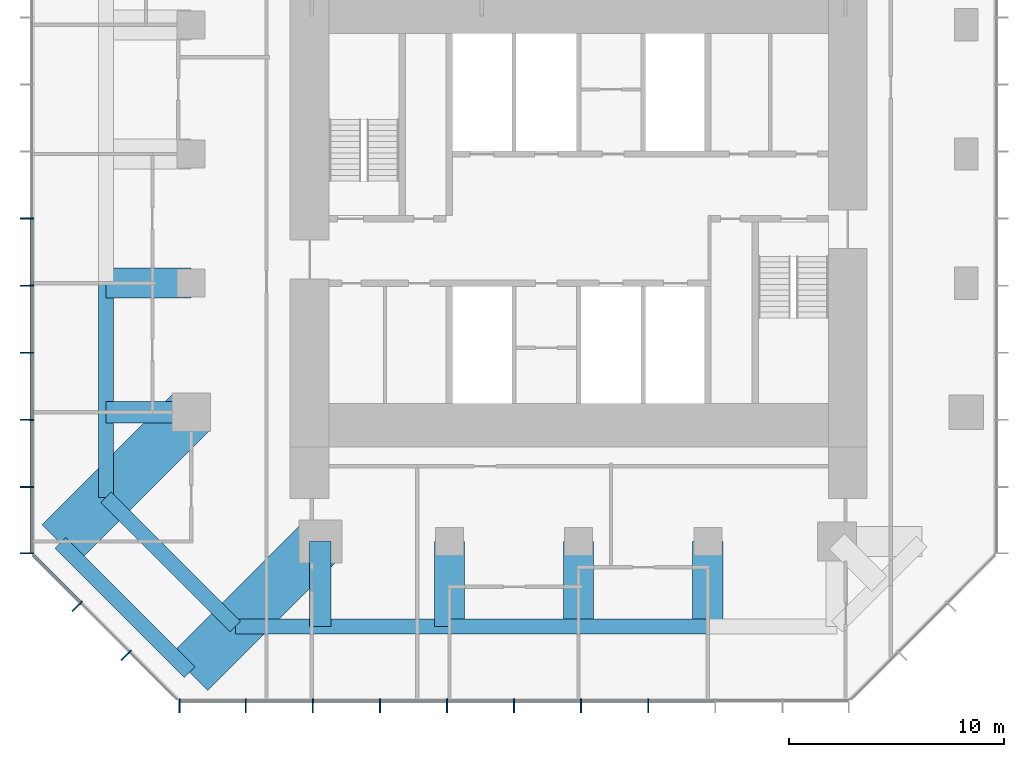
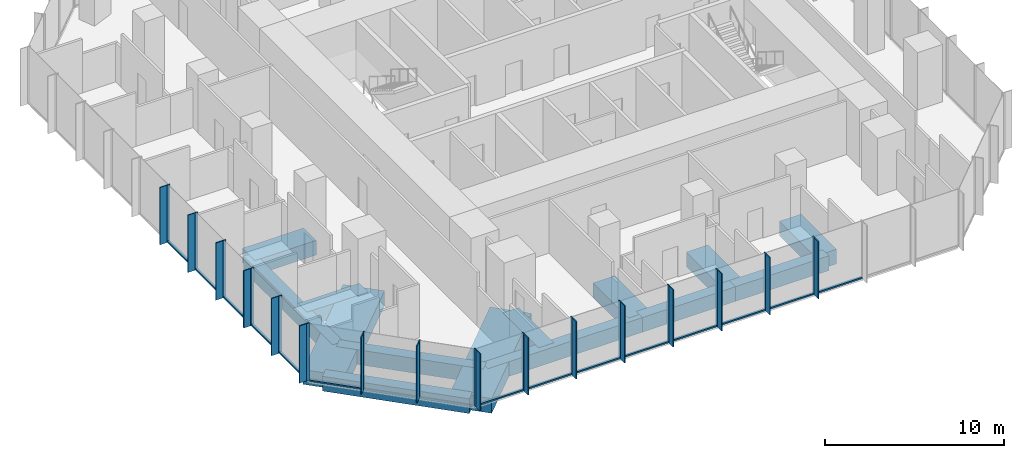
# One storey, part 2 of 11: 46 members, 14 beams, 3 elements without a shape of their own.
"""IFC4 building model written with IfcOpenShell, lengths in metres."""

import ifcopenshell
import ifcopenshell.guid

model = None  # the IFC model being written
_history = None  # IfcOwnerHistory: only IFC2X3 demands one
_inside = {}  # id of a spatial element -> (the spatial element, [elements in it])
_under = {}  # id of a project, library or spatial element -> (it, [spatial elements below it])
_declared = {}  # id of a project -> (the project, [libraries it declares])
_typed = {}  # id of a type object -> (the type object, [elements of that type])
_made_of = {}  # id of a material, layer set ... -> (it, [elements and type objects made of it])


def new_model(schema):
    """Start an empty IFC model of exactly this schema.

    Asked for "IFC4X3", IfcOpenShell would pick the latest addendum, in which some entities
    have other attributes; the version numbers below select the first issue.
    IFC2X3 requires an IfcOwnerHistory on every rooted entity: one is made here for all.
    """
    global model, _history
    if schema == "IFC4X3":
        model = ifcopenshell.file(schema_version=(4, 3, 0, 0))
    else:
        model = ifcopenshell.file(schema=schema)
    _inside.clear()
    _under.clear()
    _declared.clear()
    _typed.clear()
    _made_of.clear()
    _history = None
    if model.schema == "IFC2X3":
        org = make("IfcOrganization", Name="unknown")
        user = make(
            "IfcPersonAndOrganization",
            ThePerson=make("IfcPerson", FamilyName="unknown"),
            TheOrganization=org,
        )
        app = make(
            "IfcApplication",
            ApplicationDeveloper=org,
            Version="unknown",
            ApplicationFullName="unknown",
            ApplicationIdentifier="unknown",
        )
        _history = make(
            "IfcOwnerHistory",
            OwningUser=user,
            OwningApplication=app,
            ChangeAction="ADDED",
            CreationDate=0,
        )
    return model


def make(cls, **values):
    """One entity of the class cls with the attributes given. An attribute that is None is left unset."""
    return model.create_entity(
        cls, **{name: value for name, value in values.items() if value is not None}
    )


def rooted(cls, **values):
    """An entity with a GlobalId (a new one), such as an element, a storey or a relation."""
    return make(cls, GlobalId=ifcopenshell.guid.new(), OwnerHistory=_history, **values)


def si_unit(unit_type, name, prefix=None):
    """IfcSIUnit, for example si_unit("LENGTHUNIT", "METRE", prefix="MILLI")."""
    return make("IfcSIUnit", UnitType=unit_type, Prefix=prefix, Name=name)


def assignment(units):
    """IfcUnitAssignment: the units of a project."""
    return None if units is None else make("IfcUnitAssignment", Units=units)


def point(xyz):
    """IfcCartesianPoint."""
    return None if xyz is None else make("IfcCartesianPoint", Coordinates=xyz)


def direction(xyz):
    """IfcDirection."""
    return None if xyz is None else make("IfcDirection", DirectionRatios=xyz)


def frame(location, z_axis=None, x_axis=None):
    """IfcAxis2Placement3D, a coordinate frame: its origin and axes. An axis left out is left unset."""
    return make(
        "IfcAxis2Placement3D",
        Location=point(location),
        Axis=direction(z_axis),
        RefDirection=direction(x_axis),
    )


def frame_2d(location, x_axis=None):
    """IfcAxis2Placement2D, a coordinate frame in the plane: its origin and x axis."""
    return make(
        "IfcAxis2Placement2D", Location=point(location), RefDirection=direction(x_axis)
    )


def origin():
    """The frame at (0, 0, 0) with its axes left unset."""
    return frame((0.0, 0.0, 0.0))


def origin_2d():
    """The frame at (0, 0) in the plane with its x axis left unset."""
    return frame_2d((0.0, 0.0))


def place(relative_to, where):
    """IfcLocalPlacement: puts the frame where relative to a parent placement (None: the world)."""
    return make(
        "IfcLocalPlacement", PlacementRelTo=relative_to, RelativePlacement=where
    )


def context(
    kind, dimensions, precision=None, world=None, true_north=None, identifier=None
):
    """IfcGeometricRepresentationContext, for example the 3D "Model" context."""
    return make(
        "IfcGeometricRepresentationContext",
        ContextIdentifier=identifier,
        ContextType=kind,
        CoordinateSpaceDimension=dimensions,
        Precision=precision,
        WorldCoordinateSystem=world,
        TrueNorth=true_north,
    )


def subcontext(parent, identifier, kind, view, scale=None):
    """IfcGeometricRepresentationSubContext, for example "Body" below "Model"."""
    return make(
        "IfcGeometricRepresentationSubContext",
        ContextIdentifier=identifier,
        ContextType=kind,
        ParentContext=parent,
        TargetScale=scale,
        TargetView=view,
    )


def project(units=None, contexts=None):
    """IfcProject with its units and contexts."""
    return rooted(
        "IfcProject",
        Name="project",
        RepresentationContexts=contexts,
        UnitsInContext=assignment(units),
    )


def spatial(cls, under=None, at=None, **own):
    """A site, building, storey or space (cls), placed at a placement, below another one or the project."""
    s = rooted(cls, ObjectPlacement=at, **own)
    if under is not None:
        _under.setdefault(under.id(), (under, []))[1].append(s)
    return s


def profile(cls, at=None, kind="AREA", **sizes):
    """A parametric profile (cls). Its sizes go by their IFC names, for example OverallWidth=200.0."""
    return make(cls, ProfileType=kind, Position=at, **sizes)


def rectangle(**sizes):
    """IfcRectangleProfileDef."""
    return profile("IfcRectangleProfileDef", **sizes)


def extrude(swept, where, along, depth):
    """IfcExtrudedAreaSolid: the profile swept, set in the frame where, extruded along a direction by depth."""
    return make(
        "IfcExtrudedAreaSolid",
        SweptArea=swept,
        Position=where,
        ExtrudedDirection=direction(along),
        Depth=depth,
    )


def shape(context_of_items, identifier, shape_type, items):
    """IfcShapeRepresentation: the items that make up one representation, for example the "Body"."""
    return make(
        "IfcShapeRepresentation",
        ContextOfItems=context_of_items,
        RepresentationIdentifier=identifier,
        RepresentationType=shape_type,
        Items=items,
    )


def material(Name=None, Category=None):
    """IfcMaterial."""
    return make("IfcMaterial", Name=Name, Category=Category)


def layer(
    of_material, thickness, ventilated=None, Name=None, Category=None, Priority=None
):
    """IfcMaterialLayer: one layer of a wall or slab, of a material (None: an air gap)."""
    return make(
        "IfcMaterialLayer",
        Material=of_material,
        LayerThickness=thickness,
        IsVentilated=ventilated,
        Name=Name,
        Category=Category,
        Priority=Priority,
    )


def layer_set(layers, Name=None):
    """IfcMaterialLayerSet."""
    return make("IfcMaterialLayerSet", MaterialLayers=layers, LayerSetName=Name)


def material_profile(
    of_material, cross_section, Name=None, Category=None, Priority=None
):
    """IfcMaterialProfile: a cross section and its material."""
    return make(
        "IfcMaterialProfile",
        Name=Name,
        Material=of_material,
        Profile=cross_section,
        Priority=Priority,
        Category=Category,
    )


def profile_set(profiles, Name=None, composite=None):
    """IfcMaterialProfileSet."""
    return make(
        "IfcMaterialProfileSet",
        Name=Name,
        MaterialProfiles=profiles,
        CompositeProfile=composite,
    )


def made_of(thing, what):
    """Note that an element or type object is made of a material, layer set ...; save() writes the relation."""
    if what is not None:
        _made_of.setdefault(what.id(), (what, []))[1].append(thing)
    return thing


def type_object(cls, material=None, **own):
    """A type object (cls), such as IfcWallType, which elements share."""
    return made_of(rooted(cls, **own), material)


def element(
    cls,
    number,
    at=None,
    inside=None,
    cuts=None,
    type_object=None,
    material=None,
    context=None,
    identifier="Body",
    shape_type=None,
    held_by="IfcProductDefinitionShape",
    body=None,
    shapes=None,
    **own,
):
    """One element of the class cls, such as IfcWall. Its Tag is "e" and its number.

    at: its placement. inside: the storey or other place that contains it. cuts: it is an
    opening in that element (IfcRelVoidsElement). A single representation is given by context,
    identifier, shape_type and body (its items); several are given by shapes. held_by: the class
    of the entity that holds the representations. save() writes the other relations.
    """
    e = rooted(cls, Tag="e%d" % number, ObjectPlacement=at, **own)
    if body is not None:
        shapes = [shape(context, identifier, shape_type, body)]
    if shapes is not None:
        e.Representation = make(held_by, Representations=shapes)
    if inside is not None:
        _inside.setdefault(inside.id(), (inside, []))[1].append(e)
    if cuts is not None:
        rooted(
            "IfcRelVoidsElement", RelatingBuildingElement=cuts, RelatedOpeningElement=e
        )
    if type_object is not None:
        _typed.setdefault(type_object.id(), (type_object, []))[1].append(e)
    return made_of(e, material)


def aggregate(whole, parts):
    """IfcRelAggregates: a whole, such as a stair, and the parts it consists of."""
    return rooted("IfcRelAggregates", RelatingObject=whole, RelatedObjects=parts)


def save(model, path):
    """Write the relations noted so far, then the file.

    IfcRelAggregates (storeys below a building ...), IfcRelContainedInSpatialStructure (elements
    in a storey), IfcRelDefinesByType, IfcRelAssociatesMaterial and IfcRelDeclares: one each for
    every whole, place, type object, material and project.
    """
    for whole, parts in _under.values():
        aggregate(whole, parts)
    for where, things in _inside.values():
        rooted(
            "IfcRelContainedInSpatialStructure",
            RelatedElements=things,
            RelatingStructure=where,
        )
    for kind, things in _typed.values():
        rooted("IfcRelDefinesByType", RelatedObjects=things, RelatingType=kind)
    for what, things in _made_of.values():
        rooted("IfcRelAssociatesMaterial", RelatedObjects=things, RelatingMaterial=what)
    for by, libraries in _declared.values():
        rooted("IfcRelDeclares", RelatingContext=by, RelatedDefinitions=libraries)
    model.write(path)


model = new_model("IFC4")

# Units and contexts
model_context = context("Model", 3, precision=1e-05, world=origin(), true_north=direction((0.0, 1.0)))
body_context = subcontext(model_context, "Body", "Model", "MODEL_VIEW")
ifc_project = project(units=[si_unit("LENGTHUNIT", "METRE"), si_unit("AREAUNIT", "SQUARE_METRE"), si_unit("VOLUMEUNIT", "CUBIC_METRE"), si_unit("PLANEANGLEUNIT", "RADIAN"), si_unit("MASSUNIT", "GRAM", prefix="KILO")], contexts=[model_context])

# Site, building, storey
site_placement = place(None, origin())
site = spatial("IfcSite", under=ifc_project, at=site_placement, CompositionType="ELEMENT")
building_placement = place(site_placement, origin())
building = spatial("IfcBuilding", under=site, at=building_placement, Name="Highveld Stack Headquarters", CompositionType="ELEMENT")
storey_placement = place(building_placement, frame((0.0, 0.0, 227.89990234375)))
storey = spatial("IfcBuildingStorey", under=building, at=storey_placement, Name="L56", CompositionType="ELEMENT", Elevation=227.89990234375)

# Beams
ifc_material_1 = material(Name="Concrete C60/75", Category="concrete")
ifc_material_profile_1 = material_profile(ifc_material_1, rectangle(XDim=1.0, YDim=1.0, at=origin_2d()), Name="RC 1000x1000")
ifc_profile_set_1 = profile_set([ifc_material_profile_1], Name="Concrete C60/75")
beam_type_1 = type_object("IfcBeamType", Name="CANTILEVER RIB RC 1000x1000", PredefinedType="USERDEFINED", material=ifc_profile_set_1)
for number, where, z_axis, x_axis, name in (
    (1, (-12.0, -6.0, -0.75), (-1.0, 0.0, 0.0), (0.0, -1.0, 0.0), "Cantilever rib 4/D L56"),
    (2, (-6.0, -12.0, -0.75), (0.0, -1.0, 0.0), (1.0, 0.0, 0.0), "Cantilever rib 5/C L56"),
):
    element("IfcBeam", number, at=place(storey_placement, frame(where, z_axis=z_axis, x_axis=x_axis)), inside=storey, type_object=beam_type_1, Name=name, ObjectType="CANTILEVER RIB", PredefinedType="USERDEFINED", context=body_context, shape_type="SweptSolid", body=[
        extrude(rectangle(XDim=1.0, YDim=1.0, at=origin_2d()), origin(), (0.0, 0.0, 1.0), 3.949951171875),
    ])
ifc_material_2 = material(Name="Concrete C60/75", Category="concrete")
ifc_material_profile_2 = material_profile(ifc_material_2, rectangle(XDim=1.39990234375, YDim=1.0, at=origin_2d()), Name="RC 1400x1000")
ifc_profile_set_2 = profile_set([ifc_material_profile_2], Name="Concrete C60/75")
beam_type_2 = type_object("IfcBeamType", Name="CANTILEVER RIB RC 1400x1000", PredefinedType="USERDEFINED", material=ifc_profile_set_2)
for number, where, z_axis, x_axis, name in (
    (3, (-12.0, 0.0, -0.75), (-1.0, 0.0, 0.0), (0.0, -1.0, 0.0), "Cantilever rib 4/E L56"),
    (4, (0.0, -12.0, -0.75), (0.0, -1.0, 0.0), (1.0, 0.0, 0.0), "Cantilever rib 6/C L56"),
    (5, (6.0, -12.0, -0.75), (0.0, -1.0, 0.0), (1.0, 0.0, 0.0), "Cantilever rib 7/C L56"),
    (6, (12.0, -12.0, -0.75), (0.0, -1.0, 0.0), (1.0, 0.0, 0.0), "Cantilever rib 8/C L56"),
):
    element("IfcBeam", number, at=place(storey_placement, frame(where, z_axis=z_axis, x_axis=x_axis)), inside=storey, type_object=beam_type_2, Name=name, ObjectType="CANTILEVER RIB", PredefinedType="USERDEFINED", context=body_context, shape_type="SweptSolid", body=[
        extrude(rectangle(XDim=1.39990234375, YDim=1.0, at=origin_2d()), origin(), (0.0, 0.0, 1.0), 3.949951171875),
    ])
ifc_material_3 = material(Name="Concrete C60/75", Category="concrete")
ifc_material_profile_3 = material_profile(ifc_material_3, rectangle(XDim=2.39990234375, YDim=1.0, at=origin_2d()), Name="RC 2400x1000")
ifc_profile_set_3 = profile_set([ifc_material_profile_3], Name="Concrete C60/75")
beam_type_3 = type_object("IfcBeamType", Name="CANTILEVER RIB RC 2400x1000", PredefinedType="USERDEFINED", material=ifc_profile_set_3)
for number, where, z_axis, x_axis, name in (
    (7, (-12.0, -6.0, -0.75), (-0.707106781187, -0.707106781187, 0.0), (0.707106781187, -0.707106781187, 0.0), "Cantilever rib 4/D L56"),
    (8, (-6.0, -12.0, -0.75), (-0.707106781187, -0.707106781187, 0.0), (0.707106781187, -0.707106781187, 0.0), "Cantilever rib 5/C L56"),
):
    element("IfcBeam", number, at=place(storey_placement, frame(where, z_axis=z_axis, x_axis=x_axis)), inside=storey, type_object=beam_type_3, Name=name, ObjectType="CANTILEVER RIB", PredefinedType="USERDEFINED", context=body_context, shape_type="SweptSolid", body=[
        extrude(rectangle(XDim=2.39990234375, YDim=1.0, at=origin_2d()), origin(), (0.0, 0.0, 1.0), 8.585693359375),
    ])

# Curtain wall, members
ifc_material_4 = material(Name="Aluminium bronze anodised", Category="aluminium")
ifc_layer_1 = layer(ifc_material_4, 0.199951171875)
ifc_layer_set_1 = layer_set([ifc_layer_1], Name="Aluminium bronze anodised")
curtain_wall_type_1 = type_object("IfcCurtainWallType", Name="CW1 TOWER UNITISED CURTAIN WALL", PredefinedType="NOTDEFINED", material=ifc_layer_set_1)
curtain_wall_1_placement = place(storey_placement, origin())
curtain_wall_1 = element("IfcCurtainWall", 9, at=curtain_wall_1_placement, inside=storey, type_object=curtain_wall_type_1, Name="Curtain wall CW1 L56 S", PredefinedType="NOTDEFINED")
ifc_material_5 = material(Name="Aluminium bronze anodised", Category="aluminium")
ifc_material_profile_4 = material_profile(ifc_material_5, rectangle(XDim=0.449951171875, YDim=0.06005859375, at=origin_2d()), Name="FIN 450x60")
ifc_profile_set_4 = profile_set([ifc_material_profile_4], Name="Aluminium bronze anodised")
member_type_1 = type_object("IfcMemberType", Name="CW1 BRONZE FIN 450x60", PredefinedType="USERDEFINED", material=ifc_profile_set_4)
member_1_placement = place(storey_placement, frame((-12.54736328125, -19.72509765625, 0.0), z_axis=(0.0, 0.0, 1.0), x_axis=(0.0, 1.0, 0.0)))
member_1 = element("IfcMember", 10, at=member_1_placement, type_object=member_type_1, Name="CW1 fin L56 1", ObjectType="FIN", PredefinedType="USERDEFINED", context=body_context, shape_type="SweptSolid", body=[
    extrude(rectangle(XDim=0.449951171875, YDim=0.06005859375, at=origin_2d()), origin(), (0.0, 0.0, 1.0), 3.900146484375),
])
member_2_placement = place(storey_placement, frame((-9.4638671875, -19.72509765625, 0.0), z_axis=(0.0, 0.0, 1.0), x_axis=(0.0, 1.0, 0.0)))
member_2 = element("IfcMember", 11, at=member_2_placement, type_object=member_type_1, Name="CW1 fin L56 2", ObjectType="FIN", PredefinedType="USERDEFINED", context=body_context, shape_type="SweptSolid", body=[
    extrude(rectangle(XDim=0.449951171875, YDim=0.06005859375, at=origin_2d()), origin(), (0.0, 0.0, 1.0), 3.900146484375),
])
member_3_placement = place(storey_placement, frame((-6.347900390625, -19.72509765625, 0.0), z_axis=(0.0, 0.0, 1.0), x_axis=(0.0, 1.0, 0.0)))
member_3 = element("IfcMember", 12, at=member_3_placement, type_object=member_type_1, Name="CW1 fin L56 3", ObjectType="FIN", PredefinedType="USERDEFINED", context=body_context, shape_type="SweptSolid", body=[
    extrude(rectangle(XDim=0.449951171875, YDim=0.06005859375, at=origin_2d()), origin(), (0.0, 0.0, 1.0), 3.900146484375),
])
member_4_placement = place(storey_placement, frame((-3.23193359375, -19.72509765625, 0.0), z_axis=(0.0, 0.0, 1.0), x_axis=(0.0, 1.0, 0.0)))
member_4 = element("IfcMember", 13, at=member_4_placement, type_object=member_type_1, Name="CW1 fin L56 4", ObjectType="FIN", PredefinedType="USERDEFINED", context=body_context, shape_type="SweptSolid", body=[
    extrude(rectangle(XDim=0.449951171875, YDim=0.06005859375, at=origin_2d()), origin(), (0.0, 0.0, 1.0), 3.900146484375),
])
member_5_placement = place(storey_placement, frame((-0.115966796875, -19.72509765625, 0.0), z_axis=(0.0, 0.0, 1.0), x_axis=(0.0, 1.0, 0.0)))
member_5 = element("IfcMember", 14, at=member_5_placement, type_object=member_type_1, Name="CW1 fin L56 5", ObjectType="FIN", PredefinedType="USERDEFINED", context=body_context, shape_type="SweptSolid", body=[
    extrude(rectangle(XDim=0.449951171875, YDim=0.06005859375, at=origin_2d()), origin(), (0.0, 0.0, 1.0), 3.900146484375),
])
member_6_placement = place(storey_placement, frame((3.0, -19.72509765625, 0.0), z_axis=(0.0, 0.0, 1.0), x_axis=(0.0, 1.0, 0.0)))
member_6 = element("IfcMember", 15, at=member_6_placement, type_object=member_type_1, Name="CW1 fin L56 6", ObjectType="FIN", PredefinedType="USERDEFINED", context=body_context, shape_type="SweptSolid", body=[
    extrude(rectangle(XDim=0.449951171875, YDim=0.06005859375, at=origin_2d()), origin(), (0.0, 0.0, 1.0), 3.900146484375),
])
member_7_placement = place(storey_placement, frame((6.115966796875, -19.72509765625, 0.0), z_axis=(0.0, 0.0, 1.0), x_axis=(0.0, 1.0, 0.0)))
member_7 = element("IfcMember", 16, at=member_7_placement, type_object=member_type_1, Name="CW1 fin L56 7", ObjectType="FIN", PredefinedType="USERDEFINED", context=body_context, shape_type="SweptSolid", body=[
    extrude(rectangle(XDim=0.449951171875, YDim=0.06005859375, at=origin_2d()), origin(), (0.0, 0.0, 1.0), 3.900146484375),
])
member_8_placement = place(storey_placement, frame((9.23193359375, -19.72509765625, 0.0), z_axis=(0.0, 0.0, 1.0), x_axis=(0.0, 1.0, 0.0)))
member_8 = element("IfcMember", 17, at=member_8_placement, type_object=member_type_1, Name="CW1 fin L56 8", ObjectType="FIN", PredefinedType="USERDEFINED", context=body_context, shape_type="SweptSolid", body=[
    extrude(rectangle(XDim=0.449951171875, YDim=0.06005859375, at=origin_2d()), origin(), (0.0, 0.0, 1.0), 3.900146484375),
])

curtain_wall_2_placement = place(storey_placement, origin())
curtain_wall_2 = element("IfcCurtainWall", 18, at=curtain_wall_2_placement, inside=storey, type_object=curtain_wall_type_1, Name="Curtain wall CW1 L56 W", PredefinedType="NOTDEFINED")
member_9_placement = place(storey_placement, frame((-19.72509765625, 3.0, 0.0), z_axis=(0.0, 0.0, 1.0), x_axis=(1.0, 0.0, 0.0)))
member_9 = element("IfcMember", 19, at=member_9_placement, type_object=member_type_1, Name="CW1 fin L56 6", ObjectType="FIN", PredefinedType="USERDEFINED", context=body_context, shape_type="SweptSolid", body=[
    extrude(rectangle(XDim=0.449951171875, YDim=0.06005859375, at=origin_2d()), origin(), (0.0, 0.0, 1.0), 3.900146484375),
])
member_10_placement = place(storey_placement, frame((-19.72509765625, -0.115966796875, 0.0), z_axis=(0.0, 0.0, 1.0), x_axis=(1.0, 0.0, 0.0)))
member_10 = element("IfcMember", 20, at=member_10_placement, type_object=member_type_1, Name="CW1 fin L56 7", ObjectType="FIN", PredefinedType="USERDEFINED", context=body_context, shape_type="SweptSolid", body=[
    extrude(rectangle(XDim=0.449951171875, YDim=0.06005859375, at=origin_2d()), origin(), (0.0, 0.0, 1.0), 3.900146484375),
])
member_11_placement = place(storey_placement, frame((-19.72509765625, -3.23193359375, 0.0), z_axis=(0.0, 0.0, 1.0), x_axis=(1.0, 0.0, 0.0)))
member_11 = element("IfcMember", 21, at=member_11_placement, type_object=member_type_1, Name="CW1 fin L56 8", ObjectType="FIN", PredefinedType="USERDEFINED", context=body_context, shape_type="SweptSolid", body=[
    extrude(rectangle(XDim=0.449951171875, YDim=0.06005859375, at=origin_2d()), origin(), (0.0, 0.0, 1.0), 3.900146484375),
])
member_12_placement = place(storey_placement, frame((-19.72509765625, -6.347900390625, 0.0), z_axis=(0.0, 0.0, 1.0), x_axis=(1.0, 0.0, 0.0)))
member_12 = element("IfcMember", 22, at=member_12_placement, type_object=member_type_1, Name="CW1 fin L56 9", ObjectType="FIN", PredefinedType="USERDEFINED", context=body_context, shape_type="SweptSolid", body=[
    extrude(rectangle(XDim=0.449951171875, YDim=0.06005859375, at=origin_2d()), origin(), (0.0, 0.0, 1.0), 3.900146484375),
])
member_13_placement = place(storey_placement, frame((-19.72509765625, -9.4638671875, 0.0), z_axis=(0.0, 0.0, 1.0), x_axis=(1.0, 0.0, 0.0)))
member_13 = element("IfcMember", 23, at=member_13_placement, type_object=member_type_1, Name="CW1 fin L56 10", ObjectType="FIN", PredefinedType="USERDEFINED", context=body_context, shape_type="SweptSolid", body=[
    extrude(rectangle(XDim=0.449951171875, YDim=0.06005859375, at=origin_2d()), origin(), (0.0, 0.0, 1.0), 3.900146484375),
])
member_14_placement = place(storey_placement, frame((-19.72509765625, -12.54736328125, 0.0), z_axis=(0.0, 0.0, 1.0), x_axis=(1.0, 0.0, 0.0)))
member_14 = element("IfcMember", 24, at=member_14_placement, type_object=member_type_1, Name="CW1 fin L56 11", ObjectType="FIN", PredefinedType="USERDEFINED", context=body_context, shape_type="SweptSolid", body=[
    extrude(rectangle(XDim=0.449951171875, YDim=0.06005859375, at=origin_2d()), origin(), (0.0, 0.0, 1.0), 3.900146484375),
])

# Member
ifc_material_6 = material(Name="Aluminium bronze anodised", Category="aluminium")
ifc_material_profile_5 = material_profile(ifc_material_6, rectangle(XDim=0.199951171875, YDim=0.06494140625, at=origin_2d()), Name="CW1 MULLION 65x200")
ifc_profile_set_5 = profile_set([ifc_material_profile_5], Name="Aluminium bronze anodised")
member_type_2 = type_object("IfcMemberType", Name="CW1 MULLION 65x200", PredefinedType="MULLION", material=ifc_profile_set_5)
member_15_placement = place(storey_placement, frame((-12.54736328125, -19.39990234375, 0.0), z_axis=(0.0, 0.0, 1.0), x_axis=(0.0, 1.0, 0.0)))
member_15 = element("IfcMember", 25, at=member_15_placement, type_object=member_type_2, Name="CW1 mullion L56 1", PredefinedType="MULLION", context=body_context, shape_type="SweptSolid", body=[
    extrude(rectangle(XDim=0.199951171875, YDim=0.06494140625, at=origin_2d()), origin(), (0.0, 0.0, 1.0), 3.900146484375),
])

member_16_placement = place(storey_placement, frame((-9.4638671875, -19.39990234375, 0.0), z_axis=(0.0, 0.0, 1.0), x_axis=(0.0, 1.0, 0.0)))
member_16 = element("IfcMember", 26, at=member_16_placement, type_object=member_type_2, Name="CW1 mullion L56 2", PredefinedType="MULLION", context=body_context, shape_type="SweptSolid", body=[
    extrude(rectangle(XDim=0.199951171875, YDim=0.06494140625, at=origin_2d()), origin(), (0.0, 0.0, 1.0), 3.900146484375),
])

member_17_placement = place(storey_placement, frame((-6.347900390625, -19.39990234375, 0.0), z_axis=(0.0, 0.0, 1.0), x_axis=(0.0, 1.0, 0.0)))
member_17 = element("IfcMember", 27, at=member_17_placement, type_object=member_type_2, Name="CW1 mullion L56 3", PredefinedType="MULLION", context=body_context, shape_type="SweptSolid", body=[
    extrude(rectangle(XDim=0.199951171875, YDim=0.06494140625, at=origin_2d()), origin(), (0.0, 0.0, 1.0), 3.900146484375),
])

member_18_placement = place(storey_placement, frame((-3.23193359375, -19.39990234375, 0.0), z_axis=(0.0, 0.0, 1.0), x_axis=(0.0, 1.0, 0.0)))
member_18 = element("IfcMember", 28, at=member_18_placement, type_object=member_type_2, Name="CW1 mullion L56 4", PredefinedType="MULLION", context=body_context, shape_type="SweptSolid", body=[
    extrude(rectangle(XDim=0.199951171875, YDim=0.06494140625, at=origin_2d()), origin(), (0.0, 0.0, 1.0), 3.900146484375),
])

member_19_placement = place(storey_placement, frame((-0.115966796875, -19.39990234375, 0.0), z_axis=(0.0, 0.0, 1.0), x_axis=(0.0, 1.0, 0.0)))
member_19 = element("IfcMember", 29, at=member_19_placement, type_object=member_type_2, Name="CW1 mullion L56 5", PredefinedType="MULLION", context=body_context, shape_type="SweptSolid", body=[
    extrude(rectangle(XDim=0.199951171875, YDim=0.06494140625, at=origin_2d()), origin(), (0.0, 0.0, 1.0), 3.900146484375),
])

member_20_placement = place(storey_placement, frame((3.0, -19.39990234375, 0.0), z_axis=(0.0, 0.0, 1.0), x_axis=(0.0, 1.0, 0.0)))
member_20 = element("IfcMember", 30, at=member_20_placement, type_object=member_type_2, Name="CW1 mullion L56 6", PredefinedType="MULLION", context=body_context, shape_type="SweptSolid", body=[
    extrude(rectangle(XDim=0.199951171875, YDim=0.06494140625, at=origin_2d()), origin(), (0.0, 0.0, 1.0), 3.900146484375),
])

member_21_placement = place(storey_placement, frame((6.115966796875, -19.39990234375, 0.0), z_axis=(0.0, 0.0, 1.0), x_axis=(0.0, 1.0, 0.0)))
member_21 = element("IfcMember", 31, at=member_21_placement, type_object=member_type_2, Name="CW1 mullion L56 7", PredefinedType="MULLION", context=body_context, shape_type="SweptSolid", body=[
    extrude(rectangle(XDim=0.199951171875, YDim=0.06494140625, at=origin_2d()), origin(), (0.0, 0.0, 1.0), 3.900146484375),
])

member_22_placement = place(storey_placement, frame((9.23193359375, -19.39990234375, 0.0), z_axis=(0.0, 0.0, 1.0), x_axis=(0.0, 1.0, 0.0)))
member_22 = element("IfcMember", 32, at=member_22_placement, type_object=member_type_2, Name="CW1 mullion L56 8", PredefinedType="MULLION", context=body_context, shape_type="SweptSolid", body=[
    extrude(rectangle(XDim=0.199951171875, YDim=0.06494140625, at=origin_2d()), origin(), (0.0, 0.0, 1.0), 3.900146484375),
])

member_23_placement = place(storey_placement, frame((-19.39990234375, 3.0, 0.0), z_axis=(0.0, 0.0, 1.0), x_axis=(1.0, 0.0, 0.0)))
member_23 = element("IfcMember", 33, at=member_23_placement, type_object=member_type_2, Name="CW1 mullion L56 6", PredefinedType="MULLION", context=body_context, shape_type="SweptSolid", body=[
    extrude(rectangle(XDim=0.199951171875, YDim=0.06494140625, at=origin_2d()), origin(), (0.0, 0.0, 1.0), 3.900146484375),
])

member_24_placement = place(storey_placement, frame((-19.39990234375, -0.115966796875, 0.0), z_axis=(0.0, 0.0, 1.0), x_axis=(1.0, 0.0, 0.0)))
member_24 = element("IfcMember", 34, at=member_24_placement, type_object=member_type_2, Name="CW1 mullion L56 7", PredefinedType="MULLION", context=body_context, shape_type="SweptSolid", body=[
    extrude(rectangle(XDim=0.199951171875, YDim=0.06494140625, at=origin_2d()), origin(), (0.0, 0.0, 1.0), 3.900146484375),
])

member_25_placement = place(storey_placement, frame((-19.39990234375, -3.23193359375, 0.0), z_axis=(0.0, 0.0, 1.0), x_axis=(1.0, 0.0, 0.0)))
member_25 = element("IfcMember", 35, at=member_25_placement, type_object=member_type_2, Name="CW1 mullion L56 8", PredefinedType="MULLION", context=body_context, shape_type="SweptSolid", body=[
    extrude(rectangle(XDim=0.199951171875, YDim=0.06494140625, at=origin_2d()), origin(), (0.0, 0.0, 1.0), 3.900146484375),
])

member_26_placement = place(storey_placement, frame((-19.39990234375, -6.347900390625, 0.0), z_axis=(0.0, 0.0, 1.0), x_axis=(1.0, 0.0, 0.0)))
member_26 = element("IfcMember", 36, at=member_26_placement, type_object=member_type_2, Name="CW1 mullion L56 9", PredefinedType="MULLION", context=body_context, shape_type="SweptSolid", body=[
    extrude(rectangle(XDim=0.199951171875, YDim=0.06494140625, at=origin_2d()), origin(), (0.0, 0.0, 1.0), 3.900146484375),
])

member_27_placement = place(storey_placement, frame((-19.39990234375, -9.4638671875, 0.0), z_axis=(0.0, 0.0, 1.0), x_axis=(1.0, 0.0, 0.0)))
member_27 = element("IfcMember", 37, at=member_27_placement, type_object=member_type_2, Name="CW1 mullion L56 10", PredefinedType="MULLION", context=body_context, shape_type="SweptSolid", body=[
    extrude(rectangle(XDim=0.199951171875, YDim=0.06494140625, at=origin_2d()), origin(), (0.0, 0.0, 1.0), 3.900146484375),
])

member_28_placement = place(storey_placement, frame((-19.39990234375, -12.54736328125, 0.0), z_axis=(0.0, 0.0, 1.0), x_axis=(1.0, 0.0, 0.0)))
member_28 = element("IfcMember", 38, at=member_28_placement, type_object=member_type_2, Name="CW1 mullion L56 11", PredefinedType="MULLION", context=body_context, shape_type="SweptSolid", body=[
    extrude(rectangle(XDim=0.199951171875, YDim=0.06494140625, at=origin_2d()), origin(), (0.0, 0.0, 1.0), 3.900146484375),
])

ifc_material_7 = material(Name="Aluminium bronze anodised", Category="aluminium")
ifc_material_profile_6 = material_profile(ifc_material_7, rectangle(XDim=0.14990234375, YDim=0.10009765625, at=origin_2d()), Name="CW1 TRANSOM 150x100")
ifc_profile_set_6 = profile_set([ifc_material_profile_6], Name="Aluminium bronze anodised")
member_type_3 = type_object("IfcMemberType", Name="CW1 STACK TRANSOM 150x100", PredefinedType="USERDEFINED", material=ifc_profile_set_6)
member_29_placement = place(storey_placement, frame((-12.514892578125, -19.39990234375, 0.050048828125), z_axis=(1.0, 0.0, 0.0), x_axis=(0.0, 1.0, 0.0)))
member_29 = element("IfcMember", 39, at=member_29_placement, type_object=member_type_3, Name="CW1 transom L56 1.1", ObjectType="TRANSOM", PredefinedType="USERDEFINED", context=body_context, shape_type="SweptSolid", body=[
    extrude(rectangle(XDim=0.14990234375, YDim=0.10009765625, at=origin_2d()), origin(), (0.0, 0.0, 1.0), 3.0185546875),
])

member_30_placement = place(storey_placement, frame((-9.431396484375, -19.39990234375, 0.050048828125), z_axis=(1.0, 0.0, 0.0), x_axis=(0.0, 1.0, 0.0)))
member_30 = element("IfcMember", 40, at=member_30_placement, type_object=member_type_3, Name="CW1 transom L56 2.1", ObjectType="TRANSOM", PredefinedType="USERDEFINED", context=body_context, shape_type="SweptSolid", body=[
    extrude(rectangle(XDim=0.14990234375, YDim=0.10009765625, at=origin_2d()), origin(), (0.0, 0.0, 1.0), 3.051025390625),
])

member_31_placement = place(storey_placement, frame((-6.3154296875, -19.39990234375, 0.050048828125), z_axis=(1.0, 0.0, 0.0), x_axis=(0.0, 1.0, 0.0)))
member_31 = element("IfcMember", 41, at=member_31_placement, type_object=member_type_3, Name="CW1 transom L56 3.1", ObjectType="TRANSOM", PredefinedType="USERDEFINED", context=body_context, shape_type="SweptSolid", body=[
    extrude(rectangle(XDim=0.14990234375, YDim=0.10009765625, at=origin_2d()), origin(), (0.0, 0.0, 1.0), 3.051025390625),
])

member_32_placement = place(storey_placement, frame((-3.199462890625, -19.39990234375, 0.050048828125), z_axis=(1.0, 0.0, 0.0), x_axis=(0.0, 1.0, 0.0)))
member_32 = element("IfcMember", 42, at=member_32_placement, type_object=member_type_3, Name="CW1 transom L56 4.1", ObjectType="TRANSOM", PredefinedType="USERDEFINED", context=body_context, shape_type="SweptSolid", body=[
    extrude(rectangle(XDim=0.14990234375, YDim=0.10009765625, at=origin_2d()), origin(), (0.0, 0.0, 1.0), 3.051025390625),
])

member_33_placement = place(storey_placement, frame((-0.08349609375, -19.39990234375, 0.050048828125), z_axis=(1.0, 0.0, 0.0), x_axis=(0.0, 1.0, 0.0)))
member_33 = element("IfcMember", 43, at=member_33_placement, type_object=member_type_3, Name="CW1 transom L56 5.1", ObjectType="TRANSOM", PredefinedType="USERDEFINED", context=body_context, shape_type="SweptSolid", body=[
    extrude(rectangle(XDim=0.14990234375, YDim=0.10009765625, at=origin_2d()), origin(), (0.0, 0.0, 1.0), 3.051025390625),
])

member_34_placement = place(storey_placement, frame((3.032470703125, -19.39990234375, 0.050048828125), z_axis=(1.0, 0.0, 0.0), x_axis=(0.0, 1.0, 0.0)))
member_34 = element("IfcMember", 44, at=member_34_placement, type_object=member_type_3, Name="CW1 transom L56 6.1", ObjectType="TRANSOM", PredefinedType="USERDEFINED", context=body_context, shape_type="SweptSolid", body=[
    extrude(rectangle(XDim=0.14990234375, YDim=0.10009765625, at=origin_2d()), origin(), (0.0, 0.0, 1.0), 3.051025390625),
])

member_35_placement = place(storey_placement, frame((6.1484375, -19.39990234375, 0.050048828125), z_axis=(1.0, 0.0, 0.0), x_axis=(0.0, 1.0, 0.0)))
member_35 = element("IfcMember", 45, at=member_35_placement, type_object=member_type_3, Name="CW1 transom L56 7.1", ObjectType="TRANSOM", PredefinedType="USERDEFINED", context=body_context, shape_type="SweptSolid", body=[
    extrude(rectangle(XDim=0.14990234375, YDim=0.10009765625, at=origin_2d()), origin(), (0.0, 0.0, 1.0), 3.051025390625),
])

member_36_placement = place(storey_placement, frame((9.264404296875, -19.39990234375, 0.050048828125), z_axis=(1.0, 0.0, 0.0), x_axis=(0.0, 1.0, 0.0)))
member_36 = element("IfcMember", 46, at=member_36_placement, type_object=member_type_3, Name="CW1 transom L56 8.1", ObjectType="TRANSOM", PredefinedType="USERDEFINED", context=body_context, shape_type="SweptSolid", body=[
    extrude(rectangle(XDim=0.14990234375, YDim=0.10009765625, at=origin_2d()), origin(), (0.0, 0.0, 1.0), 3.051025390625),
])

aggregate(curtain_wall_1, [member_15, member_1, member_16, member_2, member_17, member_3, member_18, member_4, member_19, member_5, member_20, member_6, member_21, member_7, member_22, member_8, member_29, member_30, member_31, member_32, member_33, member_34, member_35, member_36])

member_37_placement = place(storey_placement, frame((-19.39990234375, 2.967529296875, 0.050048828125), z_axis=(0.0, -1.0, 0.0), x_axis=(1.0, 0.0, 0.0)))
member_37 = element("IfcMember", 47, at=member_37_placement, type_object=member_type_3, Name="CW1 transom L56 6.1", ObjectType="TRANSOM", PredefinedType="USERDEFINED", context=body_context, shape_type="SweptSolid", body=[
    extrude(rectangle(XDim=0.14990234375, YDim=0.10009765625, at=origin_2d()), origin(), (0.0, 0.0, 1.0), 3.051025390625),
])

member_38_placement = place(storey_placement, frame((-19.39990234375, -0.1484375, 0.050048828125), z_axis=(0.0, -1.0, 0.0), x_axis=(1.0, 0.0, 0.0)))
member_38 = element("IfcMember", 48, at=member_38_placement, type_object=member_type_3, Name="CW1 transom L56 7.1", ObjectType="TRANSOM", PredefinedType="USERDEFINED", context=body_context, shape_type="SweptSolid", body=[
    extrude(rectangle(XDim=0.14990234375, YDim=0.10009765625, at=origin_2d()), origin(), (0.0, 0.0, 1.0), 3.051025390625),
])

member_39_placement = place(storey_placement, frame((-19.39990234375, -3.264404296875, 0.050048828125), z_axis=(0.0, -1.0, 0.0), x_axis=(1.0, 0.0, 0.0)))
member_39 = element("IfcMember", 49, at=member_39_placement, type_object=member_type_3, Name="CW1 transom L56 8.1", ObjectType="TRANSOM", PredefinedType="USERDEFINED", context=body_context, shape_type="SweptSolid", body=[
    extrude(rectangle(XDim=0.14990234375, YDim=0.10009765625, at=origin_2d()), origin(), (0.0, 0.0, 1.0), 3.051025390625),
])

member_40_placement = place(storey_placement, frame((-19.39990234375, -6.38037109375, 0.050048828125), z_axis=(0.0, -1.0, 0.0), x_axis=(1.0, 0.0, 0.0)))
member_40 = element("IfcMember", 50, at=member_40_placement, type_object=member_type_3, Name="CW1 transom L56 9.1", ObjectType="TRANSOM", PredefinedType="USERDEFINED", context=body_context, shape_type="SweptSolid", body=[
    extrude(rectangle(XDim=0.14990234375, YDim=0.10009765625, at=origin_2d()), origin(), (0.0, 0.0, 1.0), 3.051025390625),
])

member_41_placement = place(storey_placement, frame((-19.39990234375, -9.496337890625, 0.050048828125), z_axis=(0.0, -1.0, 0.0), x_axis=(1.0, 0.0, 0.0)))
member_41 = element("IfcMember", 51, at=member_41_placement, type_object=member_type_3, Name="CW1 transom L56 10.1", ObjectType="TRANSOM", PredefinedType="USERDEFINED", context=body_context, shape_type="SweptSolid", body=[
    extrude(rectangle(XDim=0.14990234375, YDim=0.10009765625, at=origin_2d()), origin(), (0.0, 0.0, 1.0), 3.0185546875),
])

aggregate(curtain_wall_2, [member_23, member_9, member_24, member_10, member_25, member_11, member_26, member_12, member_27, member_13, member_28, member_14, member_37, member_38, member_39, member_40, member_41])

# Curtain wall, members
ifc_material_8 = material(Name="Aluminium bronze anodised", Category="aluminium")
ifc_layer_2 = layer(ifc_material_8, 0.199951171875)
ifc_layer_set_2 = layer_set([ifc_layer_2], Name="Aluminium bronze anodised")
curtain_wall_type_2 = type_object("IfcCurtainWallType", Name="CW2 TOWER CHAMFER UNITISED CURTAIN WALL", PredefinedType="NOTDEFINED", material=ifc_layer_set_2)
curtain_wall_3_placement = place(storey_placement, origin())
curtain_wall_3 = element("IfcCurtainWall", 52, at=curtain_wall_3_placement, inside=storey, type_object=curtain_wall_type_2, Name="Curtain wall CW2 L56 SW", PredefinedType="NOTDEFINED")
ifc_material_9 = material(Name="Aluminium bronze anodised", Category="aluminium")
ifc_material_profile_7 = material_profile(ifc_material_9, rectangle(XDim=0.449951171875, YDim=0.06005859375, at=origin_2d()), Name="FIN 450x60")
ifc_profile_set_7 = profile_set([ifc_material_profile_7], Name="Aluminium bronze anodised")
member_type_4 = type_object("IfcMemberType", Name="CW2 BRONZE FIN 450x60", PredefinedType="USERDEFINED", material=ifc_profile_set_7)
member_42_placement = place(storey_placement, frame((-17.3564453125, -15.0830078125, 0.0), z_axis=(0.0, 0.0, 1.0), x_axis=(0.707106781187, 0.707106781187, 0.0)))
member_42 = element("IfcMember", 53, at=member_42_placement, type_object=member_type_4, Name="CW2 fin L56 1", ObjectType="FIN", PredefinedType="USERDEFINED", context=body_context, shape_type="SweptSolid", body=[
    extrude(rectangle(XDim=0.449951171875, YDim=0.06005859375, at=origin_2d()), origin(), (0.0, 0.0, 1.0), 3.900146484375),
])
member_43_placement = place(storey_placement, frame((-15.0830078125, -17.3564453125, 0.0), z_axis=(0.0, 0.0, 1.0), x_axis=(0.707106781187, 0.707106781187, 0.0)))
member_43 = element("IfcMember", 54, at=member_43_placement, type_object=member_type_4, Name="CW2 fin L56 2", ObjectType="FIN", PredefinedType="USERDEFINED", context=body_context, shape_type="SweptSolid", body=[
    extrude(rectangle(XDim=0.449951171875, YDim=0.06005859375, at=origin_2d()), origin(), (0.0, 0.0, 1.0), 3.900146484375),
])
ifc_material_10 = material(Name="Aluminium bronze anodised", Category="aluminium")
ifc_material_profile_8 = material_profile(ifc_material_10, rectangle(XDim=0.199951171875, YDim=0.06494140625, at=origin_2d()), Name="CW2 MULLION 65x200")
ifc_profile_set_8 = profile_set([ifc_material_profile_8], Name="Aluminium bronze anodised")
member_type_5 = type_object("IfcMemberType", Name="CW2 MULLION 65x200", PredefinedType="MULLION", material=ifc_profile_set_8)
member_44_placement = place(storey_placement, frame((-17.126708984375, -14.853271484375, 0.0), z_axis=(0.0, 0.0, 1.0), x_axis=(0.707106781187, 0.707106781187, 0.0)))
member_44 = element("IfcMember", 55, at=member_44_placement, type_object=member_type_5, Name="CW2 mullion L56 1", PredefinedType="MULLION", context=body_context, shape_type="SweptSolid", body=[
    extrude(rectangle(XDim=0.199951171875, YDim=0.06494140625, at=origin_2d()), origin(), (0.0, 0.0, 1.0), 3.900146484375),
])
member_45_placement = place(storey_placement, frame((-14.853271484375, -17.126708984375, 0.0), z_axis=(0.0, 0.0, 1.0), x_axis=(0.707106781187, 0.707106781187, 0.0)))
member_45 = element("IfcMember", 56, at=member_45_placement, type_object=member_type_5, Name="CW2 mullion L56 2", PredefinedType="MULLION", context=body_context, shape_type="SweptSolid", body=[
    extrude(rectangle(XDim=0.199951171875, YDim=0.06494140625, at=origin_2d()), origin(), (0.0, 0.0, 1.0), 3.900146484375),
])
ifc_material_11 = material(Name="Aluminium bronze anodised", Category="aluminium")
ifc_material_profile_9 = material_profile(ifc_material_11, rectangle(XDim=0.14990234375, YDim=0.10009765625, at=origin_2d()), Name="CW2 TRANSOM 150x100")
ifc_profile_set_9 = profile_set([ifc_material_profile_9], Name="Aluminium bronze anodised")
member_type_6 = type_object("IfcMemberType", Name="CW2 STACK TRANSOM 150x100", PredefinedType="USERDEFINED", material=ifc_profile_set_9)
member_46_placement = place(storey_placement, frame((-19.329345703125, -12.650634765625, 0.050048828125), z_axis=(0.707106781187, -0.707106781187, 0.0), x_axis=(0.707106781187, 0.707106781187, 0.0)))
member_46 = element("IfcMember", 57, at=member_46_placement, type_object=member_type_6, Name="CW2 transom L56 1.1", ObjectType="TRANSOM", PredefinedType="USERDEFINED", context=body_context, shape_type="SweptSolid", body=[
    extrude(rectangle(XDim=0.14990234375, YDim=0.10009765625, at=origin_2d()), origin(), (0.0, 0.0, 1.0), 3.08251953125),
])
aggregate(curtain_wall_3, [member_44, member_42, member_45, member_43, member_46])

# Beams
ifc_material_12 = material(Name="Concrete C60/75", Category="concrete")
ifc_material_profile_10 = material_profile(ifc_material_12, rectangle(XDim=0.699951171875, YDim=1.0, at=origin_2d()), Name="RC 700x1000")
ifc_profile_set_10 = profile_set([ifc_material_profile_10], Name="Concrete C60/75")
beam_type_4 = type_object("IfcBeamType", Name="RIB TIP BEAM RC 700x1000", PredefinedType="SPANDREL", material=ifc_profile_set_10)
for number, where, z_axis, x_axis, name in (
    (58, (-15.949951171875, -9.949951171875, -0.75), (0.0, 1.0, 0.0), (-1.0, 0.0, 0.0), "Rib tip beam 4/D to 4/E L56"),
    (59, (-9.949951171875, -15.949951171875, -0.75), (1.0, 0.0, 0.0), (0.0, 1.0, 0.0), "Rib tip beam 5/C to 6/C L56"),
):
    element("IfcBeam", number, at=place(storey_placement, frame(where, z_axis=z_axis, x_axis=x_axis)), inside=storey, type_object=beam_type_4, Name=name, PredefinedType="SPANDREL", context=body_context, shape_type="SweptSolid", body=[
        extrude(rectangle(XDim=0.699951171875, YDim=1.0, at=origin_2d()), origin(), (0.0, 0.0, 1.0), 9.949951171875),
    ])
for number, where, z_axis, x_axis, name in (
    (60, (0.0, -15.949951171875, -0.75), (1.0, 0.0, 0.0), (0.0, 1.0, 0.0), "Rib tip beam 6/C to 7/C L56"),
    (61, (6.0, -15.949951171875, -0.75), (1.0, 0.0, 0.0), (0.0, 1.0, 0.0), "Rib tip beam 7/C to 8/C L56"),
):
    element("IfcBeam", number, at=place(storey_placement, frame(where, z_axis=z_axis, x_axis=x_axis)), inside=storey, type_object=beam_type_4, Name=name, PredefinedType="SPANDREL", context=body_context, shape_type="SweptSolid", body=[
        extrude(rectangle(XDim=0.699951171875, YDim=1.0, at=origin_2d()), origin(), (0.0, 0.0, 1.0), 6.0),
    ])
for number, where, z_axis, x_axis, name in (
    (62, (-15.949951171875, -9.949951171875, -0.75), (0.707106781187, -0.707106781187, 0.0), (0.707106781187, 0.707106781187, 0.0), "Rib tip beam 4/D to 5/C chamfer L56"),
    (63, (-18.071044921875, -12.071044921875, -0.75), (0.707106781187, -0.707106781187, 0.0), (0.707106781187, 0.707106781187, 0.0), "Rib tip beam 4/D to 5/C chamfer edge L56"),
):
    element("IfcBeam", number, at=place(storey_placement, frame(where, z_axis=z_axis, x_axis=x_axis)), inside=storey, type_object=beam_type_4, Name=name, PredefinedType="SPANDREL", context=body_context, shape_type="SweptSolid", body=[
        extrude(rectangle(XDim=0.699951171875, YDim=1.0, at=origin_2d()), origin(), (0.0, 0.0, 1.0), 8.4853515625),
    ])

save(model, "model.ifc")
